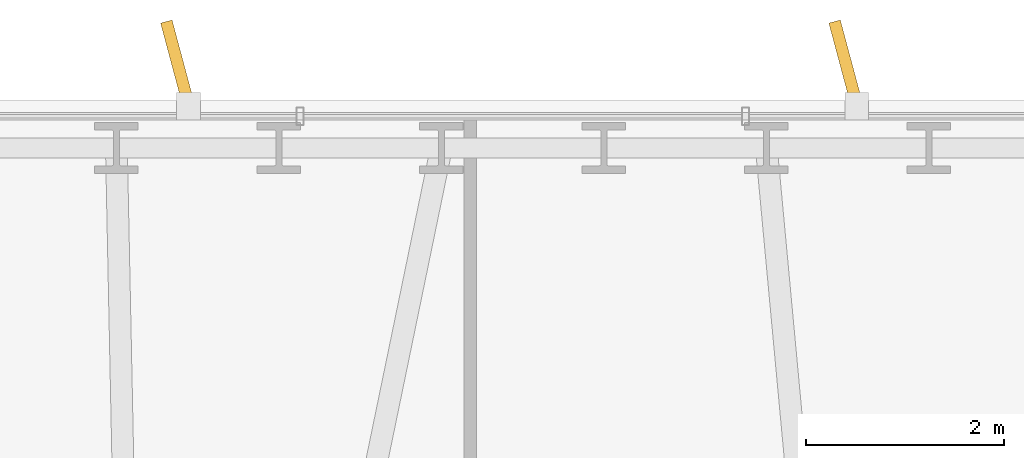
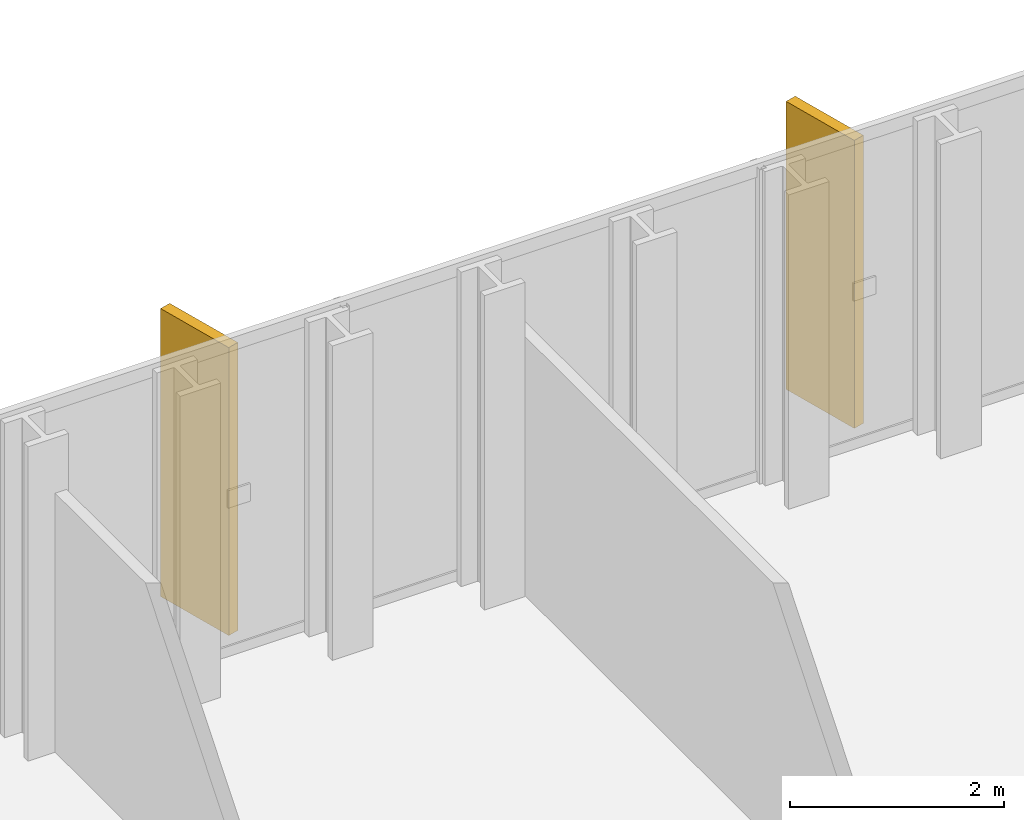
# One storey, part 31 of 31: 2 shading devices.
"""IFC4 building model written with IfcOpenShell, lengths in metres."""

from ifc_helpers import new_model, si_unit, direction, frame, origin, origin_2d, place, context, subcontext, project, spatial, rectangle, extrude, material, type_object, element, save


model = new_model("IFC4")

# Units and contexts
model_context = context("Model", 3, precision=1e-05, world=origin(), true_north=direction((0.0, 1.0)))
body_context = subcontext(model_context, "Body", "Model", "MODEL_VIEW")
ifc_project = project(units=[si_unit("LENGTHUNIT", "METRE"), si_unit("AREAUNIT", "SQUARE_METRE"), si_unit("VOLUMEUNIT", "CUBIC_METRE"), si_unit("PLANEANGLEUNIT", "RADIAN"), si_unit("MASSUNIT", "GRAM", prefix="KILO")], contexts=[model_context])

# Site, building, storey
site_placement = place(None, origin())
site = spatial("IfcSite", under=ifc_project, at=site_placement, CompositionType="ELEMENT")
building_placement = place(site_placement, origin())
building = spatial("IfcBuilding", under=site, at=building_placement, Name="Ndaravel Arena Tower", CompositionType="ELEMENT")
storey_placement = place(building_placement, frame((0.0, 0.0, 104.39990234375)))
storey = spatial("IfcBuildingStorey", under=building, at=storey_placement, Name="L24", CompositionType="ELEMENT", Elevation=104.39990234375)

# Shading devices
ifc_material = material(Name="Masonry", Category="masonry")
shading_device_type = type_object("IfcShadingDeviceType", Name="SHD-MAZERAS-FIN", PredefinedType="SHUTTER", material=ifc_material)
for number, where, z_axis, x_axis, name in (
    (1, (45.262451171875, 46.482421875, 0.14990234375), (0.0, 0.0, 1.0), (-0.258819045103, 0.965925826289, 0.0), "L24 Mazeras Stone Solar Fin E4.1"),
    (2, (38.523193359375, 46.482421875, 0.14990234375), (0.0, 0.0, 1.0), (-0.258819045103, 0.965925826289, 0.0), "L24 Mazeras Stone Solar Fin E4.2"),
):
    element("IfcShadingDevice", number, at=place(storey_placement, frame(where, z_axis=z_axis, x_axis=x_axis)), inside=storey, type_object=shading_device_type, Name=name, PredefinedType="SHUTTER", context=body_context, shape_type="SweptSolid", body=[
        extrude(rectangle(XDim=0.89990234375, YDim=0.1201171875, at=origin_2d()), origin(), (0.0, 0.0, 1.0), 3.280029296875),
    ])

save(model, "model.ifc")
